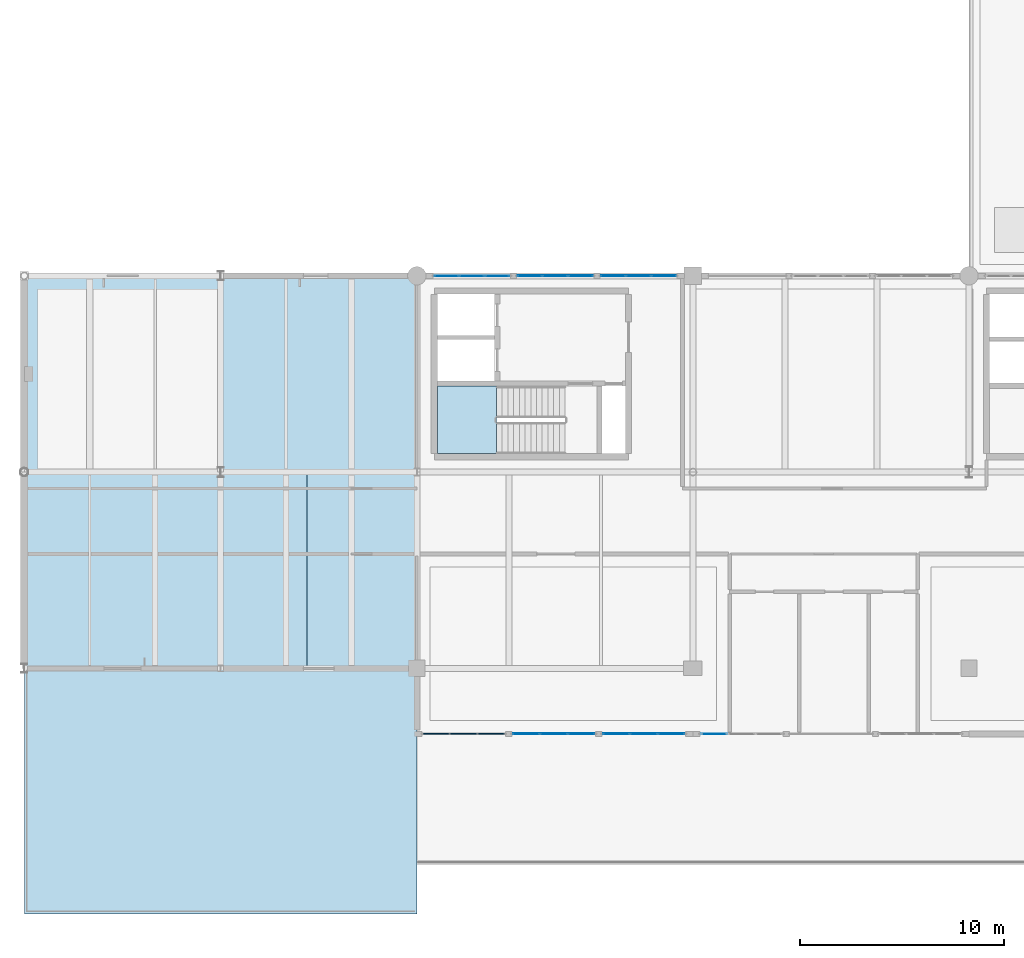
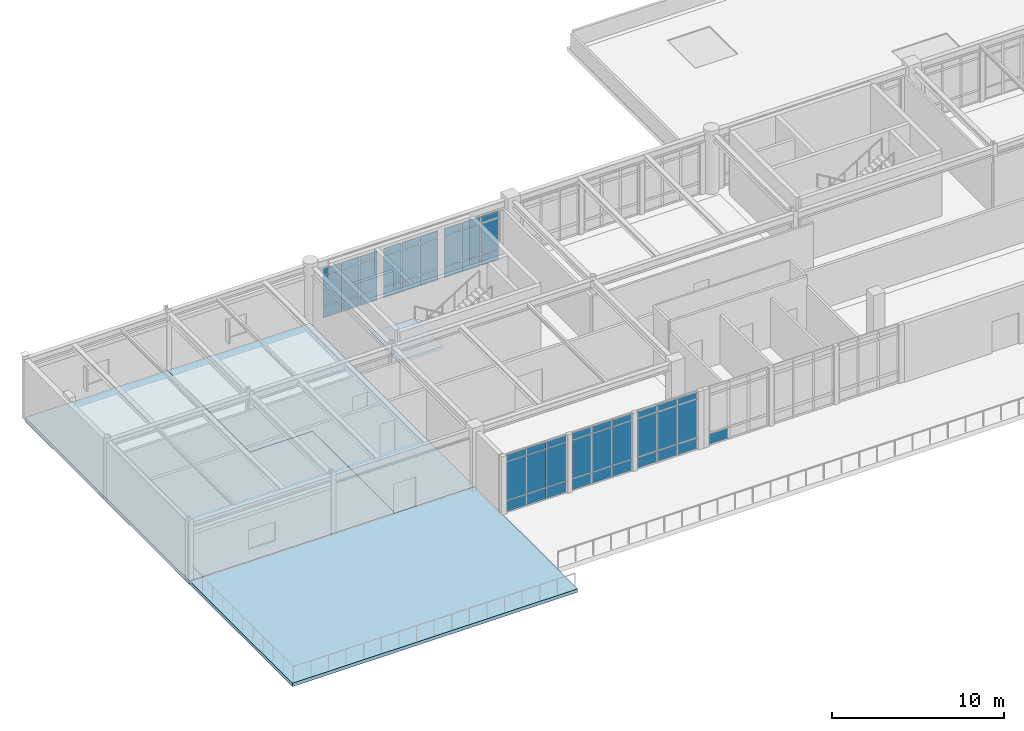
# One storey, part 40 of 55: 55 plates, 4 slabs, 8 elements without a shape of their own.
"""IFC4 building model written with IfcOpenShell, lengths in metres."""

import ifcopenshell
import ifcopenshell.guid

model = None  # the IFC model being written
_history = None  # IfcOwnerHistory: only IFC2X3 demands one
_inside = {}  # id of a spatial element -> (the spatial element, [elements in it])
_under = {}  # id of a project, library or spatial element -> (it, [spatial elements below it])
_declared = {}  # id of a project -> (the project, [libraries it declares])
_typed = {}  # id of a type object -> (the type object, [elements of that type])
_made_of = {}  # id of a material, layer set ... -> (it, [elements and type objects made of it])


def new_model(schema):
    """Start an empty IFC model of exactly this schema.

    Asked for "IFC4X3", IfcOpenShell would pick the latest addendum, in which some entities
    have other attributes; the version numbers below select the first issue.
    IFC2X3 requires an IfcOwnerHistory on every rooted entity: one is made here for all.
    """
    global model, _history
    if schema == "IFC4X3":
        model = ifcopenshell.file(schema_version=(4, 3, 0, 0))
    else:
        model = ifcopenshell.file(schema=schema)
    _inside.clear()
    _under.clear()
    _declared.clear()
    _typed.clear()
    _made_of.clear()
    _history = None
    if model.schema == "IFC2X3":
        org = make("IfcOrganization", Name="unknown")
        user = make(
            "IfcPersonAndOrganization",
            ThePerson=make("IfcPerson", FamilyName="unknown"),
            TheOrganization=org,
        )
        app = make(
            "IfcApplication",
            ApplicationDeveloper=org,
            Version="unknown",
            ApplicationFullName="unknown",
            ApplicationIdentifier="unknown",
        )
        _history = make(
            "IfcOwnerHistory",
            OwningUser=user,
            OwningApplication=app,
            ChangeAction="ADDED",
            CreationDate=0,
        )
    return model


def make(cls, **values):
    """One entity of the class cls with the attributes given. An attribute that is None is left unset."""
    return model.create_entity(
        cls, **{name: value for name, value in values.items() if value is not None}
    )


def rooted(cls, **values):
    """An entity with a GlobalId (a new one), such as an element, a storey or a relation."""
    return make(cls, GlobalId=ifcopenshell.guid.new(), OwnerHistory=_history, **values)


def si_unit(unit_type, name, prefix=None):
    """IfcSIUnit, for example si_unit("LENGTHUNIT", "METRE", prefix="MILLI")."""
    return make("IfcSIUnit", UnitType=unit_type, Prefix=prefix, Name=name)


def assignment(units):
    """IfcUnitAssignment: the units of a project."""
    return None if units is None else make("IfcUnitAssignment", Units=units)


def point(xyz):
    """IfcCartesianPoint."""
    return None if xyz is None else make("IfcCartesianPoint", Coordinates=xyz)


def direction(xyz):
    """IfcDirection."""
    return None if xyz is None else make("IfcDirection", DirectionRatios=xyz)


def frame(location, z_axis=None, x_axis=None):
    """IfcAxis2Placement3D, a coordinate frame: its origin and axes. An axis left out is left unset."""
    return make(
        "IfcAxis2Placement3D",
        Location=point(location),
        Axis=direction(z_axis),
        RefDirection=direction(x_axis),
    )


def frame_2d(location, x_axis=None):
    """IfcAxis2Placement2D, a coordinate frame in the plane: its origin and x axis."""
    return make(
        "IfcAxis2Placement2D", Location=point(location), RefDirection=direction(x_axis)
    )


def origin():
    """The frame at (0, 0, 0) with its axes left unset."""
    return frame((0.0, 0.0, 0.0))


def origin_2d():
    """The frame at (0, 0) in the plane with its x axis left unset."""
    return frame_2d((0.0, 0.0))


def place(relative_to, where):
    """IfcLocalPlacement: puts the frame where relative to a parent placement (None: the world)."""
    return make(
        "IfcLocalPlacement", PlacementRelTo=relative_to, RelativePlacement=where
    )


def context(
    kind, dimensions, precision=None, world=None, true_north=None, identifier=None
):
    """IfcGeometricRepresentationContext, for example the 3D "Model" context."""
    return make(
        "IfcGeometricRepresentationContext",
        ContextIdentifier=identifier,
        ContextType=kind,
        CoordinateSpaceDimension=dimensions,
        Precision=precision,
        WorldCoordinateSystem=world,
        TrueNorth=true_north,
    )


def subcontext(parent, identifier, kind, view, scale=None):
    """IfcGeometricRepresentationSubContext, for example "Body" below "Model"."""
    return make(
        "IfcGeometricRepresentationSubContext",
        ContextIdentifier=identifier,
        ContextType=kind,
        ParentContext=parent,
        TargetScale=scale,
        TargetView=view,
    )


def project(units=None, contexts=None):
    """IfcProject with its units and contexts."""
    return rooted(
        "IfcProject",
        Name="project",
        RepresentationContexts=contexts,
        UnitsInContext=assignment(units),
    )


def spatial(cls, under=None, at=None, **own):
    """A site, building, storey or space (cls), placed at a placement, below another one or the project."""
    s = rooted(cls, ObjectPlacement=at, **own)
    if under is not None:
        _under.setdefault(under.id(), (under, []))[1].append(s)
    return s


def polyline(points):
    """IfcPolyline through the points."""
    return make("IfcPolyline", Points=[point(p) for p in points])


def profile(cls, at=None, kind="AREA", **sizes):
    """A parametric profile (cls). Its sizes go by their IFC names, for example OverallWidth=200.0."""
    return make(cls, ProfileType=kind, Position=at, **sizes)


def rectangle(**sizes):
    """IfcRectangleProfileDef."""
    return profile("IfcRectangleProfileDef", **sizes)


def outline(outer, holes=None, kind="AREA"):
    """IfcArbitraryClosedProfileDef: a profile drawn as a closed curve; with holes, ...WithVoids."""
    if holes is None:
        return make("IfcArbitraryClosedProfileDef", ProfileType=kind, OuterCurve=outer)
    return make(
        "IfcArbitraryProfileDefWithVoids",
        ProfileType=kind,
        OuterCurve=outer,
        InnerCurves=holes,
    )


def extrude(swept, where, along, depth):
    """IfcExtrudedAreaSolid: the profile swept, set in the frame where, extruded along a direction by depth."""
    return make(
        "IfcExtrudedAreaSolid",
        SweptArea=swept,
        Position=where,
        ExtrudedDirection=direction(along),
        Depth=depth,
    )


def shape(context_of_items, identifier, shape_type, items):
    """IfcShapeRepresentation: the items that make up one representation, for example the "Body"."""
    return make(
        "IfcShapeRepresentation",
        ContextOfItems=context_of_items,
        RepresentationIdentifier=identifier,
        RepresentationType=shape_type,
        Items=items,
    )


def material(Name=None, Category=None):
    """IfcMaterial."""
    return make("IfcMaterial", Name=Name, Category=Category)


def layer(
    of_material, thickness, ventilated=None, Name=None, Category=None, Priority=None
):
    """IfcMaterialLayer: one layer of a wall or slab, of a material (None: an air gap)."""
    return make(
        "IfcMaterialLayer",
        Material=of_material,
        LayerThickness=thickness,
        IsVentilated=ventilated,
        Name=Name,
        Category=Category,
        Priority=Priority,
    )


def layer_set(layers, Name=None):
    """IfcMaterialLayerSet."""
    return make("IfcMaterialLayerSet", MaterialLayers=layers, LayerSetName=Name)


def made_of(thing, what):
    """Note that an element or type object is made of a material, layer set ...; save() writes the relation."""
    if what is not None:
        _made_of.setdefault(what.id(), (what, []))[1].append(thing)
    return thing


def type_object(cls, material=None, **own):
    """A type object (cls), such as IfcWallType, which elements share."""
    return made_of(rooted(cls, **own), material)


def element(
    cls,
    number,
    at=None,
    inside=None,
    cuts=None,
    type_object=None,
    material=None,
    context=None,
    identifier="Body",
    shape_type=None,
    held_by="IfcProductDefinitionShape",
    body=None,
    shapes=None,
    **own,
):
    """One element of the class cls, such as IfcWall. Its Tag is "e" and its number.

    at: its placement. inside: the storey or other place that contains it. cuts: it is an
    opening in that element (IfcRelVoidsElement). A single representation is given by context,
    identifier, shape_type and body (its items); several are given by shapes. held_by: the class
    of the entity that holds the representations. save() writes the other relations.
    """
    e = rooted(cls, Tag="e%d" % number, ObjectPlacement=at, **own)
    if body is not None:
        shapes = [shape(context, identifier, shape_type, body)]
    if shapes is not None:
        e.Representation = make(held_by, Representations=shapes)
    if inside is not None:
        _inside.setdefault(inside.id(), (inside, []))[1].append(e)
    if cuts is not None:
        rooted(
            "IfcRelVoidsElement", RelatingBuildingElement=cuts, RelatedOpeningElement=e
        )
    if type_object is not None:
        _typed.setdefault(type_object.id(), (type_object, []))[1].append(e)
    return made_of(e, material)


def aggregate(whole, parts):
    """IfcRelAggregates: a whole, such as a stair, and the parts it consists of."""
    return rooted("IfcRelAggregates", RelatingObject=whole, RelatedObjects=parts)


def save(model, path):
    """Write the relations noted so far, then the file.

    IfcRelAggregates (storeys below a building ...), IfcRelContainedInSpatialStructure (elements
    in a storey), IfcRelDefinesByType, IfcRelAssociatesMaterial and IfcRelDeclares: one each for
    every whole, place, type object, material and project.
    """
    for whole, parts in _under.values():
        aggregate(whole, parts)
    for where, things in _inside.values():
        rooted(
            "IfcRelContainedInSpatialStructure",
            RelatedElements=things,
            RelatingStructure=where,
        )
    for kind, things in _typed.values():
        rooted("IfcRelDefinesByType", RelatedObjects=things, RelatingType=kind)
    for what, things in _made_of.values():
        rooted("IfcRelAssociatesMaterial", RelatedObjects=things, RelatingMaterial=what)
    for by, libraries in _declared.values():
        rooted("IfcRelDeclares", RelatingContext=by, RelatedDefinitions=libraries)
    model.write(path)


model = new_model("IFC4")

# Units and contexts
model_context = context("Model", 3, precision=1e-05, world=origin(), true_north=direction((0.0, 1.0)))
body_context = subcontext(model_context, "Body", "Model", "MODEL_VIEW")
ifc_project = project(units=[si_unit("LENGTHUNIT", "METRE"), si_unit("AREAUNIT", "SQUARE_METRE"), si_unit("VOLUMEUNIT", "CUBIC_METRE"), si_unit("PLANEANGLEUNIT", "RADIAN"), si_unit("MASSUNIT", "GRAM", prefix="KILO")], contexts=[model_context])

# Site, building, storey
site_placement = place(None, origin())
site = spatial("IfcSite", under=ifc_project, at=site_placement, CompositionType="ELEMENT")
building_placement = place(site_placement, origin())
building = spatial("IfcBuilding", under=site, at=building_placement, Name="Fikremerkos Civic Library", CompositionType="ELEMENT")
storey_placement = place(building_placement, frame((0.0, 0.0, 18.89990234375)))
storey = spatial("IfcBuildingStorey", under=building, at=storey_placement, Name="L04", CompositionType="ELEMENT", Elevation=18.89990234375)

# Curtain wall, plate
ifc_material_1 = material(Name="Anodized aluminium Frame", Category="aluminium")
ifc_layer_1 = layer(ifc_material_1, 0.159912109375, Name="Anodized aluminium Frame")
ifc_layer_set_1 = layer_set([ifc_layer_1], Name="Anodized aluminium Frame")
curtain_wall_type_1 = type_object("IfcCurtainWallType", Name="Unitised curtain wall CW-09 3600x3400", PredefinedType="USERDEFINED", material=ifc_layer_set_1)
curtain_wall_1_placement = place(storey_placement, origin())
curtain_wall_1 = element("IfcCurtainWall", 1, at=curtain_wall_1_placement, inside=storey, type_object=curtain_wall_type_1, Name="Unitised curtain wall CW-09 L04 #225", ObjectType="UNITISED CURTAIN WALL", PredefinedType="USERDEFINED")
ifc_material_2 = material(Name="Solar control double glazing", Category="glass")
ifc_layer_2 = layer(ifc_material_2, 0.028076171875, Name="Solar control double glazing")
ifc_layer_set_2 = layer_set([ifc_layer_2], Name="Solar control double glazing")
plate_type_1 = type_object("IfcPlateType", Name="Curtain glazing panel CWP-01 28", PredefinedType="CURTAIN_PANEL", material=ifc_layer_set_2)
plate_1_placement = place(storey_placement, frame((33.745849609375, 8.800048828125, 0.070068359375), z_axis=(0.0, 0.0, 1.0), x_axis=(-1.0, 0.0, 0.0)))
plate_1 = element("IfcPlate", 2, at=plate_1_placement, type_object=plate_type_1, Name="CW-09 panel 3.1", PredefinedType="CURTAIN_PANEL", context=body_context, shape_type="SweptSolid", body=[
    extrude(rectangle(XDim=1.257568359375, YDim=0.028076171875, at=origin_2d()), origin(), (0.0, 0.0, 1.0), 0.7451171875),
])
aggregate(curtain_wall_1, [plate_1])

# Curtain wall, plates
ifc_layer_3 = layer(ifc_material_1, 0.159912109375, Name="Anodized aluminium Frame")
ifc_layer_set_3 = layer_set([ifc_layer_3], Name="Anodized aluminium Frame")
curtain_wall_type_2 = type_object("IfcCurtainWallType", Name="Unitised curtain wall CW-13 3700x3200", PredefinedType="USERDEFINED", material=ifc_layer_set_3)
curtain_wall_2_placement = place(storey_placement, origin())
curtain_wall_2 = element("IfcCurtainWall", 3, at=curtain_wall_2_placement, inside=storey, type_object=curtain_wall_type_2, Name="Unitised curtain wall CW-13 L04 #229", ObjectType="UNITISED CURTAIN WALL", PredefinedType="USERDEFINED")
plate_2_placement = place(storey_placement, frame((20.6435546875, 31.199951171875, 0.06005859375), z_axis=(0.0, 0.0, 1.0), x_axis=(1.0, 0.0, 0.0)))
plate_2 = element("IfcPlate", 4, at=plate_2_placement, type_object=plate_type_1, Name="CW-13 panel 1.1", PredefinedType="CURTAIN_PANEL", context=body_context, shape_type="SweptSolid", body=[
    extrude(rectangle(XDim=1.161376953125, YDim=0.028076171875, at=origin_2d()), origin(), (0.0, 0.0, 1.0), 0.760009765625),
])
plate_3_placement = place(storey_placement, frame((20.6435546875, 31.199951171875, 0.880126953125), z_axis=(0.0, 0.0, 1.0), x_axis=(1.0, 0.0, 0.0)))
plate_3 = element("IfcPlate", 5, at=plate_3_placement, type_object=plate_type_1, Name="CW-13 panel 1.2", PredefinedType="CURTAIN_PANEL", context=body_context, shape_type="SweptSolid", body=[
    extrude(rectangle(XDim=1.161376953125, YDim=0.028076171875, at=origin_2d()), origin(), (0.0, 0.0, 1.0), 2.169921875),
])
plate_4_placement = place(storey_placement, frame((20.6435546875, 31.199951171875, 3.110107421875), z_axis=(0.0, 0.0, 1.0), x_axis=(1.0, 0.0, 0.0)))
plate_4 = element("IfcPlate", 6, at=plate_4_placement, type_object=plate_type_1, Name="CW-13 panel 1.3", PredefinedType="CURTAIN_PANEL", context=body_context, shape_type="SweptSolid", body=[
    extrude(rectangle(XDim=1.161376953125, YDim=0.028076171875, at=origin_2d()), origin(), (0.0, 0.0, 1.0), 0.4599609375),
])
plate_5_placement = place(storey_placement, frame((21.88623046875, 31.199951171875, 0.06005859375), z_axis=(0.0, 0.0, 1.0), x_axis=(1.0, 0.0, 0.0)))
plate_5 = element("IfcPlate", 7, at=plate_5_placement, type_object=plate_type_1, Name="CW-13 panel 2.1", PredefinedType="CURTAIN_PANEL", context=body_context, shape_type="SweptSolid", body=[
    extrude(rectangle(XDim=1.19384765625, YDim=0.028076171875, at=origin_2d()), origin(), (0.0, 0.0, 1.0), 0.760009765625),
])
plate_6_placement = place(storey_placement, frame((21.88623046875, 31.199951171875, 0.880126953125), z_axis=(0.0, 0.0, 1.0), x_axis=(1.0, 0.0, 0.0)))
plate_6 = element("IfcPlate", 8, at=plate_6_placement, type_object=plate_type_1, Name="CW-13 panel 2.2", PredefinedType="CURTAIN_PANEL", context=body_context, shape_type="SweptSolid", body=[
    extrude(rectangle(XDim=1.19384765625, YDim=0.028076171875, at=origin_2d()), origin(), (0.0, 0.0, 1.0), 2.169921875),
])
plate_7_placement = place(storey_placement, frame((21.88623046875, 31.199951171875, 3.110107421875), z_axis=(0.0, 0.0, 1.0), x_axis=(1.0, 0.0, 0.0)))
plate_7 = element("IfcPlate", 9, at=plate_7_placement, type_object=plate_type_1, Name="CW-13 panel 2.3", PredefinedType="CURTAIN_PANEL", context=body_context, shape_type="SweptSolid", body=[
    extrude(rectangle(XDim=1.19384765625, YDim=0.028076171875, at=origin_2d()), origin(), (0.0, 0.0, 1.0), 0.4599609375),
])
plate_8_placement = place(storey_placement, frame((23.128662109375, 31.199951171875, 0.06005859375), z_axis=(0.0, 0.0, 1.0), x_axis=(1.0, 0.0, 0.0)))
plate_8 = element("IfcPlate", 10, at=plate_8_placement, type_object=plate_type_1, Name="CW-13 panel 3.1", PredefinedType="CURTAIN_PANEL", context=body_context, shape_type="SweptSolid", body=[
    extrude(rectangle(XDim=1.161376953125, YDim=0.028076171875, at=origin_2d()), origin(), (0.0, 0.0, 1.0), 0.760009765625),
])
plate_9_placement = place(storey_placement, frame((23.128662109375, 31.199951171875, 0.880126953125), z_axis=(0.0, 0.0, 1.0), x_axis=(1.0, 0.0, 0.0)))
plate_9 = element("IfcPlate", 11, at=plate_9_placement, type_object=plate_type_1, Name="CW-13 panel 3.2", PredefinedType="CURTAIN_PANEL", context=body_context, shape_type="SweptSolid", body=[
    extrude(rectangle(XDim=1.161376953125, YDim=0.028076171875, at=origin_2d()), origin(), (0.0, 0.0, 1.0), 2.169921875),
])
plate_10_placement = place(storey_placement, frame((23.128662109375, 31.199951171875, 3.110107421875), z_axis=(0.0, 0.0, 1.0), x_axis=(1.0, 0.0, 0.0)))
plate_10 = element("IfcPlate", 12, at=plate_10_placement, type_object=plate_type_1, Name="CW-13 panel 3.3", PredefinedType="CURTAIN_PANEL", context=body_context, shape_type="SweptSolid", body=[
    extrude(rectangle(XDim=1.161376953125, YDim=0.028076171875, at=origin_2d()), origin(), (0.0, 0.0, 1.0), 0.4599609375),
])
aggregate(curtain_wall_2, [plate_2, plate_3, plate_4, plate_5, plate_6, plate_7, plate_8, plate_9, plate_10])

ifc_layer_4 = layer(ifc_material_1, 0.159912109375, Name="Anodized aluminium Frame")
ifc_layer_set_4 = layer_set([ifc_layer_4], Name="Anodized aluminium Frame")
curtain_wall_type_3 = type_object("IfcCurtainWallType", Name="Unitised curtain wall CW-10 4000x3400", PredefinedType="USERDEFINED", material=ifc_layer_set_4)
curtain_wall_3_placement = place(storey_placement, origin())
curtain_wall_3 = element("IfcCurtainWall", 13, at=curtain_wall_3_placement, inside=storey, type_object=curtain_wall_type_3, Name="Unitised curtain wall CW-10 L04 #226", ObjectType="UNITISED CURTAIN WALL", PredefinedType="USERDEFINED")
ifc_layer_5 = layer(ifc_material_2, 0.035888671875, Name="Solar control double glazing")
ifc_layer_set_5 = layer_set([ifc_layer_5], Name="Solar control double glazing")
plate_type_2 = type_object("IfcPlateType", Name="Curtain glazing panel CWP-02 36", PredefinedType="CURTAIN_PANEL", material=ifc_layer_set_5)
plate_11_placement = place(storey_placement, frame((31.649169921875, 8.800048828125, 0.070068359375), z_axis=(0.0, 0.0, 1.0), x_axis=(-1.0, 0.0, 0.0)))
plate_11 = element("IfcPlate", 14, at=plate_11_placement, type_object=plate_type_2, Name="CW-10 panel 1.1", PredefinedType="CURTAIN_PANEL", context=body_context, shape_type="SweptSolid", body=[
    extrude(rectangle(XDim=1.277587890625, YDim=0.035888671875, at=origin_2d()), origin(), (0.0, 0.0, 1.0), 0.7451171875),
])
plate_12_placement = place(storey_placement, frame((31.649169921875, 8.800048828125, 0.885009765625), z_axis=(0.0, 0.0, 1.0), x_axis=(-1.0, 0.0, 0.0)))
plate_12 = element("IfcPlate", 15, at=plate_12_placement, type_object=plate_type_2, Name="CW-10 panel 1.2", PredefinedType="CURTAIN_PANEL", context=body_context, shape_type="SweptSolid", body=[
    extrude(rectangle(XDim=1.277587890625, YDim=0.035888671875, at=origin_2d()), origin(), (0.0, 0.0, 1.0), 2.68994140625),
])
plate_13_placement = place(storey_placement, frame((31.649169921875, 8.800048828125, 3.64501953125), z_axis=(0.0, 0.0, 1.0), x_axis=(-1.0, 0.0, 0.0)))
plate_13 = element("IfcPlate", 16, at=plate_13_placement, type_object=plate_type_2, Name="CW-10 panel 1.3", PredefinedType="CURTAIN_PANEL", context=body_context, shape_type="SweptSolid", body=[
    extrude(rectangle(XDim=1.277587890625, YDim=0.035888671875, at=origin_2d()), origin(), (0.0, 0.0, 1.0), 0.445068359375),
])
plate_14_placement = place(storey_placement, frame((30.296630859375, 8.800048828125, 0.070068359375), z_axis=(0.0, 0.0, 1.0), x_axis=(-1.0, 0.0, 0.0)))
plate_14 = element("IfcPlate", 17, at=plate_14_placement, type_object=plate_type_2, Name="CW-10 panel 2.1", PredefinedType="CURTAIN_PANEL", context=body_context, shape_type="SweptSolid", body=[
    extrude(rectangle(XDim=1.3076171875, YDim=0.035888671875, at=origin_2d()), origin(), (0.0, 0.0, 1.0), 0.7451171875),
])
plate_15_placement = place(storey_placement, frame((30.296630859375, 8.800048828125, 0.885009765625), z_axis=(0.0, 0.0, 1.0), x_axis=(-1.0, 0.0, 0.0)))
plate_15 = element("IfcPlate", 18, at=plate_15_placement, type_object=plate_type_2, Name="CW-10 panel 2.2", PredefinedType="CURTAIN_PANEL", context=body_context, shape_type="SweptSolid", body=[
    extrude(rectangle(XDim=1.3076171875, YDim=0.035888671875, at=origin_2d()), origin(), (0.0, 0.0, 1.0), 2.68994140625),
])
plate_16_placement = place(storey_placement, frame((30.296630859375, 8.800048828125, 3.64501953125), z_axis=(0.0, 0.0, 1.0), x_axis=(-1.0, 0.0, 0.0)))
plate_16 = element("IfcPlate", 19, at=plate_16_placement, type_object=plate_type_2, Name="CW-10 panel 2.3", PredefinedType="CURTAIN_PANEL", context=body_context, shape_type="SweptSolid", body=[
    extrude(rectangle(XDim=1.3076171875, YDim=0.035888671875, at=origin_2d()), origin(), (0.0, 0.0, 1.0), 0.445068359375),
])
plate_17_placement = place(storey_placement, frame((28.944091796875, 8.800048828125, 0.070068359375), z_axis=(0.0, 0.0, 1.0), x_axis=(-1.0, 0.0, 0.0)))
plate_17 = element("IfcPlate", 20, at=plate_17_placement, type_object=plate_type_2, Name="CW-10 panel 3.1", PredefinedType="CURTAIN_PANEL", context=body_context, shape_type="SweptSolid", body=[
    extrude(rectangle(XDim=1.277587890625, YDim=0.035888671875, at=origin_2d()), origin(), (0.0, 0.0, 1.0), 0.7451171875),
])
plate_18_placement = place(storey_placement, frame((28.944091796875, 8.800048828125, 0.885009765625), z_axis=(0.0, 0.0, 1.0), x_axis=(-1.0, 0.0, 0.0)))
plate_18 = element("IfcPlate", 21, at=plate_18_placement, type_object=plate_type_2, Name="CW-10 panel 3.2", PredefinedType="CURTAIN_PANEL", context=body_context, shape_type="SweptSolid", body=[
    extrude(rectangle(XDim=1.277587890625, YDim=0.035888671875, at=origin_2d()), origin(), (0.0, 0.0, 1.0), 2.68994140625),
])
plate_19_placement = place(storey_placement, frame((28.944091796875, 8.800048828125, 3.64501953125), z_axis=(0.0, 0.0, 1.0), x_axis=(-1.0, 0.0, 0.0)))
plate_19 = element("IfcPlate", 22, at=plate_19_placement, type_object=plate_type_2, Name="CW-10 panel 3.3", PredefinedType="CURTAIN_PANEL", context=body_context, shape_type="SweptSolid", body=[
    extrude(rectangle(XDim=1.277587890625, YDim=0.035888671875, at=origin_2d()), origin(), (0.0, 0.0, 1.0), 0.445068359375),
])
aggregate(curtain_wall_3, [plate_11, plate_12, plate_13, plate_14, plate_15, plate_16, plate_17, plate_18, plate_19])

ifc_layer_6 = layer(ifc_material_1, 0.159912109375, Name="Anodized aluminium Frame")
ifc_layer_set_6 = layer_set([ifc_layer_6], Name="Anodized aluminium Frame")
curtain_wall_type_4 = type_object("IfcCurtainWallType", Name="Unitised curtain wall CW-14 4100x3200", PredefinedType="USERDEFINED", material=ifc_layer_set_6)
curtain_wall_4_placement = place(storey_placement, origin())
curtain_wall_4 = element("IfcCurtainWall", 23, at=curtain_wall_4_placement, inside=storey, type_object=curtain_wall_type_4, Name="Unitised curtain wall CW-14 L04 #230", ObjectType="UNITISED CURTAIN WALL", PredefinedType="USERDEFINED")
plate_20_placement = place(storey_placement, frame((24.71875, 31.199951171875, 0.06005859375), z_axis=(0.0, 0.0, 1.0), x_axis=(1.0, 0.0, 0.0)))
plate_20 = element("IfcPlate", 24, at=plate_20_placement, type_object=plate_type_2, Name="CW-14 panel 1.1", PredefinedType="CURTAIN_PANEL", context=body_context, shape_type="SweptSolid", body=[
    extrude(rectangle(XDim=1.168701171875, YDim=0.035888671875, at=origin_2d()), origin(), (0.0, 0.0, 1.0), 0.760009765625),
])
plate_21_placement = place(storey_placement, frame((24.71875, 31.199951171875, 0.880126953125), z_axis=(0.0, 0.0, 1.0), x_axis=(1.0, 0.0, 0.0)))
plate_21 = element("IfcPlate", 25, at=plate_21_placement, type_object=plate_type_2, Name="CW-14 panel 1.2", PredefinedType="CURTAIN_PANEL", context=body_context, shape_type="SweptSolid", body=[
    extrude(rectangle(XDim=1.168701171875, YDim=0.035888671875, at=origin_2d()), origin(), (0.0, 0.0, 1.0), 2.169921875),
])
plate_22_placement = place(storey_placement, frame((24.71875, 31.199951171875, 3.110107421875), z_axis=(0.0, 0.0, 1.0), x_axis=(1.0, 0.0, 0.0)))
plate_22 = element("IfcPlate", 26, at=plate_22_placement, type_object=plate_type_2, Name="CW-14 panel 1.3", PredefinedType="CURTAIN_PANEL", context=body_context, shape_type="SweptSolid", body=[
    extrude(rectangle(XDim=1.168701171875, YDim=0.035888671875, at=origin_2d()), origin(), (0.0, 0.0, 1.0), 0.4599609375),
])
plate_23_placement = place(storey_placement, frame((25.96240234375, 31.199951171875, 0.06005859375), z_axis=(0.0, 0.0, 1.0), x_axis=(1.0, 0.0, 0.0)))
plate_23 = element("IfcPlate", 27, at=plate_23_placement, type_object=plate_type_2, Name="CW-14 panel 2.1", PredefinedType="CURTAIN_PANEL", context=body_context, shape_type="SweptSolid", body=[
    extrude(rectangle(XDim=1.19873046875, YDim=0.035888671875, at=origin_2d()), origin(), (0.0, 0.0, 1.0), 0.760009765625),
])
plate_24_placement = place(storey_placement, frame((25.96240234375, 31.199951171875, 0.880126953125), z_axis=(0.0, 0.0, 1.0), x_axis=(1.0, 0.0, 0.0)))
plate_24 = element("IfcPlate", 28, at=plate_24_placement, type_object=plate_type_2, Name="CW-14 panel 2.2", PredefinedType="CURTAIN_PANEL", context=body_context, shape_type="SweptSolid", body=[
    extrude(rectangle(XDim=1.19873046875, YDim=0.035888671875, at=origin_2d()), origin(), (0.0, 0.0, 1.0), 2.169921875),
])
plate_25_placement = place(storey_placement, frame((25.96240234375, 31.199951171875, 3.110107421875), z_axis=(0.0, 0.0, 1.0), x_axis=(1.0, 0.0, 0.0)))
plate_25 = element("IfcPlate", 29, at=plate_25_placement, type_object=plate_type_2, Name="CW-14 panel 2.3", PredefinedType="CURTAIN_PANEL", context=body_context, shape_type="SweptSolid", body=[
    extrude(rectangle(XDim=1.19873046875, YDim=0.035888671875, at=origin_2d()), origin(), (0.0, 0.0, 1.0), 0.4599609375),
])
plate_26_placement = place(storey_placement, frame((27.206298828125, 31.199951171875, 0.06005859375), z_axis=(0.0, 0.0, 1.0), x_axis=(1.0, 0.0, 0.0)))
plate_26 = element("IfcPlate", 30, at=plate_26_placement, type_object=plate_type_2, Name="CW-14 panel 3.1", PredefinedType="CURTAIN_PANEL", context=body_context, shape_type="SweptSolid", body=[
    extrude(rectangle(XDim=1.168701171875, YDim=0.035888671875, at=origin_2d()), origin(), (0.0, 0.0, 1.0), 0.760009765625),
])
plate_27_placement = place(storey_placement, frame((27.206298828125, 31.199951171875, 0.880126953125), z_axis=(0.0, 0.0, 1.0), x_axis=(1.0, 0.0, 0.0)))
plate_27 = element("IfcPlate", 31, at=plate_27_placement, type_object=plate_type_2, Name="CW-14 panel 3.2", PredefinedType="CURTAIN_PANEL", context=body_context, shape_type="SweptSolid", body=[
    extrude(rectangle(XDim=1.168701171875, YDim=0.035888671875, at=origin_2d()), origin(), (0.0, 0.0, 1.0), 2.169921875),
])
plate_28_placement = place(storey_placement, frame((27.206298828125, 31.199951171875, 3.110107421875), z_axis=(0.0, 0.0, 1.0), x_axis=(1.0, 0.0, 0.0)))
plate_28 = element("IfcPlate", 32, at=plate_28_placement, type_object=plate_type_2, Name="CW-14 panel 3.3", PredefinedType="CURTAIN_PANEL", context=body_context, shape_type="SweptSolid", body=[
    extrude(rectangle(XDim=1.168701171875, YDim=0.035888671875, at=origin_2d()), origin(), (0.0, 0.0, 1.0), 0.4599609375),
])
aggregate(curtain_wall_4, [plate_20, plate_21, plate_22, plate_23, plate_24, plate_25, plate_26, plate_27, plate_28])

ifc_layer_7 = layer(ifc_material_1, 0.159912109375, Name="Anodized aluminium Frame")
ifc_layer_set_7 = layer_set([ifc_layer_7], Name="Anodized aluminium Frame")
curtain_wall_type_5 = type_object("IfcCurtainWallType", Name="Unitised curtain wall CW-11 3200x3400", PredefinedType="USERDEFINED", material=ifc_layer_set_7)
curtain_wall_5_placement = place(storey_placement, origin())
curtain_wall_5 = element("IfcCurtainWall", 33, at=curtain_wall_5_placement, inside=storey, type_object=curtain_wall_type_5, Name="Unitised curtain wall CW-11 L04 #227", ObjectType="UNITISED CURTAIN WALL", PredefinedType="USERDEFINED")
ifc_material_3 = material(Name="Insulated aluminium spandrel", Category="aluminium")
ifc_layer_8 = layer(ifc_material_3, 0.044921875, Name="Insulated aluminium spandrel")
ifc_layer_set_8 = layer_set([ifc_layer_8], Name="Insulated aluminium spandrel")
plate_type_3 = type_object("IfcPlateType", Name="Curtain spandrel panel CSP-01 45", PredefinedType="CURTAIN_PANEL", material=ifc_layer_set_8)
plate_29_placement = place(storey_placement, frame((27.24658203125, 8.800048828125, 0.065185546875), z_axis=(0.0, 0.0, 1.0), x_axis=(-1.0, 0.0, 0.0)))
plate_29 = element("IfcPlate", 34, at=plate_29_placement, type_object=plate_type_3, Name="CW-11 panel 1.1", PredefinedType="CURTAIN_PANEL", context=body_context, shape_type="SweptSolid", body=[
    extrude(rectangle(XDim=1.277587890625, YDim=0.044921875, at=origin_2d()), origin(), (0.0, 0.0, 1.0), 0.75244140625),
])
plate_30_placement = place(storey_placement, frame((27.24658203125, 8.800048828125, 0.88232421875), z_axis=(0.0, 0.0, 1.0), x_axis=(-1.0, 0.0, 0.0)))
plate_30 = element("IfcPlate", 35, at=plate_30_placement, type_object=plate_type_3, Name="CW-11 panel 1.2", PredefinedType="CURTAIN_PANEL", context=body_context, shape_type="SweptSolid", body=[
    extrude(rectangle(XDim=1.277587890625, YDim=0.044921875, at=origin_2d()), origin(), (0.0, 0.0, 1.0), 2.695068359375),
])
plate_31_placement = place(storey_placement, frame((27.24658203125, 8.800048828125, 3.642578125), z_axis=(0.0, 0.0, 1.0), x_axis=(-1.0, 0.0, 0.0)))
plate_31 = element("IfcPlate", 36, at=plate_31_placement, type_object=plate_type_3, Name="CW-11 panel 1.3", PredefinedType="CURTAIN_PANEL", context=body_context, shape_type="SweptSolid", body=[
    extrude(rectangle(XDim=1.277587890625, YDim=0.044921875, at=origin_2d()), origin(), (0.0, 0.0, 1.0), 0.452392578125),
])
plate_32_placement = place(storey_placement, frame((25.89404296875, 8.800048828125, 0.065185546875), z_axis=(0.0, 0.0, 1.0), x_axis=(-1.0, 0.0, 0.0)))
plate_32 = element("IfcPlate", 37, at=plate_32_placement, type_object=plate_type_3, Name="CW-11 panel 2.1", PredefinedType="CURTAIN_PANEL", context=body_context, shape_type="SweptSolid", body=[
    extrude(rectangle(XDim=1.3076171875, YDim=0.044921875, at=origin_2d()), origin(), (0.0, 0.0, 1.0), 0.75244140625),
])
plate_33_placement = place(storey_placement, frame((25.89404296875, 8.800048828125, 0.88232421875), z_axis=(0.0, 0.0, 1.0), x_axis=(-1.0, 0.0, 0.0)))
plate_33 = element("IfcPlate", 38, at=plate_33_placement, type_object=plate_type_3, Name="CW-11 panel 2.2", PredefinedType="CURTAIN_PANEL", context=body_context, shape_type="SweptSolid", body=[
    extrude(rectangle(XDim=1.3076171875, YDim=0.044921875, at=origin_2d()), origin(), (0.0, 0.0, 1.0), 2.695068359375),
])
plate_34_placement = place(storey_placement, frame((25.89404296875, 8.800048828125, 3.642578125), z_axis=(0.0, 0.0, 1.0), x_axis=(-1.0, 0.0, 0.0)))
plate_34 = element("IfcPlate", 39, at=plate_34_placement, type_object=plate_type_3, Name="CW-11 panel 2.3", PredefinedType="CURTAIN_PANEL", context=body_context, shape_type="SweptSolid", body=[
    extrude(rectangle(XDim=1.3076171875, YDim=0.044921875, at=origin_2d()), origin(), (0.0, 0.0, 1.0), 0.452392578125),
])
plate_35_placement = place(storey_placement, frame((24.54150390625, 8.800048828125, 0.065185546875), z_axis=(0.0, 0.0, 1.0), x_axis=(-1.0, 0.0, 0.0)))
plate_35 = element("IfcPlate", 40, at=plate_35_placement, type_object=plate_type_3, Name="CW-11 panel 3.1", PredefinedType="CURTAIN_PANEL", context=body_context, shape_type="SweptSolid", body=[
    extrude(rectangle(XDim=1.277587890625, YDim=0.044921875, at=origin_2d()), origin(), (0.0, 0.0, 1.0), 0.75244140625),
])
plate_36_placement = place(storey_placement, frame((24.54150390625, 8.800048828125, 0.88232421875), z_axis=(0.0, 0.0, 1.0), x_axis=(-1.0, 0.0, 0.0)))
plate_36 = element("IfcPlate", 41, at=plate_36_placement, type_object=plate_type_3, Name="CW-11 panel 3.2", PredefinedType="CURTAIN_PANEL", context=body_context, shape_type="SweptSolid", body=[
    extrude(rectangle(XDim=1.277587890625, YDim=0.044921875, at=origin_2d()), origin(), (0.0, 0.0, 1.0), 2.695068359375),
])
plate_37_placement = place(storey_placement, frame((24.54150390625, 8.800048828125, 3.642578125), z_axis=(0.0, 0.0, 1.0), x_axis=(-1.0, 0.0, 0.0)))
plate_37 = element("IfcPlate", 42, at=plate_37_placement, type_object=plate_type_3, Name="CW-11 panel 3.3", PredefinedType="CURTAIN_PANEL", context=body_context, shape_type="SweptSolid", body=[
    extrude(rectangle(XDim=1.277587890625, YDim=0.044921875, at=origin_2d()), origin(), (0.0, 0.0, 1.0), 0.452392578125),
])
aggregate(curtain_wall_5, [plate_29, plate_30, plate_31, plate_32, plate_33, plate_34, plate_35, plate_36, plate_37])

ifc_layer_9 = layer(ifc_material_1, 0.159912109375, Name="Anodized aluminium Frame")
ifc_layer_set_9 = layer_set([ifc_layer_9], Name="Anodized aluminium Frame")
curtain_wall_type_6 = type_object("IfcCurtainWallType", Name="Unitised curtain wall CW-15 2900x3600", PredefinedType="USERDEFINED", material=ifc_layer_set_9)
curtain_wall_6_placement = place(storey_placement, origin())
curtain_wall_6 = element("IfcCurtainWall", 43, at=curtain_wall_6_placement, inside=storey, type_object=curtain_wall_type_6, Name="Unitised curtain wall CW-15 L04 #231", ObjectType="UNITISED CURTAIN WALL", PredefinedType="USERDEFINED")
plate_38_placement = place(storey_placement, frame((28.795166015625, 31.199951171875, 0.070068359375), z_axis=(0.0, 0.0, 1.0), x_axis=(1.0, 0.0, 0.0)))
plate_38 = element("IfcPlate", 44, at=plate_38_placement, type_object=plate_type_3, Name="CW-15 panel 1.1", PredefinedType="CURTAIN_PANEL", context=body_context, shape_type="SweptSolid", body=[
    extrude(rectangle(XDim=1.168701171875, YDim=0.044921875, at=origin_2d()), origin(), (0.0, 0.0, 1.0), 0.7451171875),
])
plate_39_placement = place(storey_placement, frame((28.795166015625, 31.199951171875, 0.88525390625), z_axis=(0.0, 0.0, 1.0), x_axis=(1.0, 0.0, 0.0)))
plate_39 = element("IfcPlate", 45, at=plate_39_placement, type_object=plate_type_3, Name="CW-15 panel 1.2", PredefinedType="CURTAIN_PANEL", context=body_context, shape_type="SweptSolid", body=[
    extrude(rectangle(XDim=1.168701171875, YDim=0.044921875, at=origin_2d()), origin(), (0.0, 0.0, 1.0), 2.159912109375),
])
plate_40_placement = place(storey_placement, frame((28.795166015625, 31.199951171875, 3.115234375), z_axis=(0.0, 0.0, 1.0), x_axis=(1.0, 0.0, 0.0)))
plate_40 = element("IfcPlate", 46, at=plate_40_placement, type_object=plate_type_3, Name="CW-15 panel 1.3", PredefinedType="CURTAIN_PANEL", context=body_context, shape_type="SweptSolid", body=[
    extrude(rectangle(XDim=1.168701171875, YDim=0.044921875, at=origin_2d()), origin(), (0.0, 0.0, 1.0), 0.445068359375),
])
plate_41_placement = place(storey_placement, frame((30.038818359375, 31.199951171875, 0.070068359375), z_axis=(0.0, 0.0, 1.0), x_axis=(1.0, 0.0, 0.0)))
plate_41 = element("IfcPlate", 47, at=plate_41_placement, type_object=plate_type_3, Name="CW-15 panel 2.1", PredefinedType="CURTAIN_PANEL", context=body_context, shape_type="SweptSolid", body=[
    extrude(rectangle(XDim=1.19873046875, YDim=0.044921875, at=origin_2d()), origin(), (0.0, 0.0, 1.0), 0.7451171875),
])
plate_42_placement = place(storey_placement, frame((30.038818359375, 31.199951171875, 0.88525390625), z_axis=(0.0, 0.0, 1.0), x_axis=(1.0, 0.0, 0.0)))
plate_42 = element("IfcPlate", 48, at=plate_42_placement, type_object=plate_type_3, Name="CW-15 panel 2.2", PredefinedType="CURTAIN_PANEL", context=body_context, shape_type="SweptSolid", body=[
    extrude(rectangle(XDim=1.19873046875, YDim=0.044921875, at=origin_2d()), origin(), (0.0, 0.0, 1.0), 2.159912109375),
])
plate_43_placement = place(storey_placement, frame((30.038818359375, 31.199951171875, 3.115234375), z_axis=(0.0, 0.0, 1.0), x_axis=(1.0, 0.0, 0.0)))
plate_43 = element("IfcPlate", 49, at=plate_43_placement, type_object=plate_type_3, Name="CW-15 panel 2.3", PredefinedType="CURTAIN_PANEL", context=body_context, shape_type="SweptSolid", body=[
    extrude(rectangle(XDim=1.19873046875, YDim=0.044921875, at=origin_2d()), origin(), (0.0, 0.0, 1.0), 0.445068359375),
])
plate_44_placement = place(storey_placement, frame((31.28271484375, 31.199951171875, 0.070068359375), z_axis=(0.0, 0.0, 1.0), x_axis=(1.0, 0.0, 0.0)))
plate_44 = element("IfcPlate", 50, at=plate_44_placement, type_object=plate_type_3, Name="CW-15 panel 3.1", PredefinedType="CURTAIN_PANEL", context=body_context, shape_type="SweptSolid", body=[
    extrude(rectangle(XDim=1.168701171875, YDim=0.044921875, at=origin_2d()), origin(), (0.0, 0.0, 1.0), 0.7451171875),
])
plate_45_placement = place(storey_placement, frame((31.28271484375, 31.199951171875, 0.88525390625), z_axis=(0.0, 0.0, 1.0), x_axis=(1.0, 0.0, 0.0)))
plate_45 = element("IfcPlate", 51, at=plate_45_placement, type_object=plate_type_3, Name="CW-15 panel 3.2", PredefinedType="CURTAIN_PANEL", context=body_context, shape_type="SweptSolid", body=[
    extrude(rectangle(XDim=1.168701171875, YDim=0.044921875, at=origin_2d()), origin(), (0.0, 0.0, 1.0), 2.159912109375),
])
plate_46_placement = place(storey_placement, frame((31.28271484375, 31.199951171875, 3.115234375), z_axis=(0.0, 0.0, 1.0), x_axis=(1.0, 0.0, 0.0)))
plate_46 = element("IfcPlate", 52, at=plate_46_placement, type_object=plate_type_3, Name="CW-15 panel 3.3", PredefinedType="CURTAIN_PANEL", context=body_context, shape_type="SweptSolid", body=[
    extrude(rectangle(XDim=1.168701171875, YDim=0.044921875, at=origin_2d()), origin(), (0.0, 0.0, 1.0), 0.445068359375),
])
aggregate(curtain_wall_6, [plate_38, plate_39, plate_40, plate_41, plate_42, plate_43, plate_44, plate_45, plate_46])

ifc_layer_10 = layer(ifc_material_1, 0.159912109375, Name="Anodized aluminium Frame")
ifc_layer_set_10 = layer_set([ifc_layer_10], Name="Anodized aluminium Frame")
curtain_wall_type_7 = type_object("IfcCurtainWallType", Name="Unitised curtain wall CW-12 4300x3400", PredefinedType="USERDEFINED", material=ifc_layer_set_10)
curtain_wall_7_placement = place(storey_placement, origin())
curtain_wall_7 = element("IfcCurtainWall", 53, at=curtain_wall_7_placement, inside=storey, type_object=curtain_wall_type_7, Name="Unitised curtain wall CW-12 L04 #228", ObjectType="UNITISED CURTAIN WALL", PredefinedType="USERDEFINED")
ifc_layer_11 = layer(ifc_material_3, 0.054931640625, Name="Insulated aluminium spandrel")
ifc_layer_set_11 = layer_set([ifc_layer_11], Name="Insulated aluminium spandrel")
plate_type_4 = type_object("IfcPlateType", Name="Curtain spandrel panel CSP-02 55", PredefinedType="CURTAIN_PANEL", material=ifc_layer_set_11)
plate_47_placement = place(storey_placement, frame((22.843994140625, 8.800048828125, 0.065185546875), z_axis=(0.0, 0.0, 1.0), x_axis=(-1.0, 0.0, 0.0)))
plate_47 = element("IfcPlate", 54, at=plate_47_placement, type_object=plate_type_4, Name="CW-12 panel 1.1", PredefinedType="CURTAIN_PANEL", context=body_context, shape_type="SweptSolid", body=[
    extrude(rectangle(XDim=1.277587890625, YDim=0.054931640625, at=origin_2d()), origin(), (0.0, 0.0, 1.0), 0.75244140625),
])
plate_48_placement = place(storey_placement, frame((22.843994140625, 8.800048828125, 0.88232421875), z_axis=(0.0, 0.0, 1.0), x_axis=(-1.0, 0.0, 0.0)))
plate_48 = element("IfcPlate", 55, at=plate_48_placement, type_object=plate_type_4, Name="CW-12 panel 1.2", PredefinedType="CURTAIN_PANEL", context=body_context, shape_type="SweptSolid", body=[
    extrude(rectangle(XDim=1.277587890625, YDim=0.054931640625, at=origin_2d()), origin(), (0.0, 0.0, 1.0), 2.695068359375),
])
plate_49_placement = place(storey_placement, frame((22.843994140625, 8.800048828125, 3.642578125), z_axis=(0.0, 0.0, 1.0), x_axis=(-1.0, 0.0, 0.0)))
plate_49 = element("IfcPlate", 56, at=plate_49_placement, type_object=plate_type_4, Name="CW-12 panel 1.3", PredefinedType="CURTAIN_PANEL", context=body_context, shape_type="SweptSolid", body=[
    extrude(rectangle(XDim=1.277587890625, YDim=0.054931640625, at=origin_2d()), origin(), (0.0, 0.0, 1.0), 0.452392578125),
])
plate_50_placement = place(storey_placement, frame((21.491455078125, 8.800048828125, 0.065185546875), z_axis=(0.0, 0.0, 1.0), x_axis=(-1.0, 0.0, 0.0)))
plate_50 = element("IfcPlate", 57, at=plate_50_placement, type_object=plate_type_4, Name="CW-12 panel 2.1", PredefinedType="CURTAIN_PANEL", context=body_context, shape_type="SweptSolid", body=[
    extrude(rectangle(XDim=1.3076171875, YDim=0.054931640625, at=origin_2d()), origin(), (0.0, 0.0, 1.0), 0.75244140625),
])
plate_51_placement = place(storey_placement, frame((21.491455078125, 8.800048828125, 0.88232421875), z_axis=(0.0, 0.0, 1.0), x_axis=(-1.0, 0.0, 0.0)))
plate_51 = element("IfcPlate", 58, at=plate_51_placement, type_object=plate_type_4, Name="CW-12 panel 2.2", PredefinedType="CURTAIN_PANEL", context=body_context, shape_type="SweptSolid", body=[
    extrude(rectangle(XDim=1.3076171875, YDim=0.054931640625, at=origin_2d()), origin(), (0.0, 0.0, 1.0), 2.695068359375),
])
plate_52_placement = place(storey_placement, frame((21.491455078125, 8.800048828125, 3.642578125), z_axis=(0.0, 0.0, 1.0), x_axis=(-1.0, 0.0, 0.0)))
plate_52 = element("IfcPlate", 59, at=plate_52_placement, type_object=plate_type_4, Name="CW-12 panel 2.3", PredefinedType="CURTAIN_PANEL", context=body_context, shape_type="SweptSolid", body=[
    extrude(rectangle(XDim=1.3076171875, YDim=0.054931640625, at=origin_2d()), origin(), (0.0, 0.0, 1.0), 0.452392578125),
])
plate_53_placement = place(storey_placement, frame((20.138671875, 8.800048828125, 0.065185546875), z_axis=(0.0, 0.0, 1.0), x_axis=(-1.0, 0.0, 0.0)))
plate_53 = element("IfcPlate", 60, at=plate_53_placement, type_object=plate_type_4, Name="CW-12 panel 3.1", PredefinedType="CURTAIN_PANEL", context=body_context, shape_type="SweptSolid", body=[
    extrude(rectangle(XDim=1.277587890625, YDim=0.054931640625, at=origin_2d()), origin(), (0.0, 0.0, 1.0), 0.75244140625),
])
plate_54_placement = place(storey_placement, frame((20.138671875, 8.800048828125, 0.88232421875), z_axis=(0.0, 0.0, 1.0), x_axis=(-1.0, 0.0, 0.0)))
plate_54 = element("IfcPlate", 61, at=plate_54_placement, type_object=plate_type_4, Name="CW-12 panel 3.2", PredefinedType="CURTAIN_PANEL", context=body_context, shape_type="SweptSolid", body=[
    extrude(rectangle(XDim=1.277587890625, YDim=0.054931640625, at=origin_2d()), origin(), (0.0, 0.0, 1.0), 2.695068359375),
])
plate_55_placement = place(storey_placement, frame((20.138671875, 8.800048828125, 3.642578125), z_axis=(0.0, 0.0, 1.0), x_axis=(-1.0, 0.0, 0.0)))
plate_55 = element("IfcPlate", 62, at=plate_55_placement, type_object=plate_type_4, Name="CW-12 panel 3.3", PredefinedType="CURTAIN_PANEL", context=body_context, shape_type="SweptSolid", body=[
    extrude(rectangle(XDim=1.277587890625, YDim=0.054931640625, at=origin_2d()), origin(), (0.0, 0.0, 1.0), 0.452392578125),
])
aggregate(curtain_wall_7, [plate_47, plate_48, plate_49, plate_50, plate_51, plate_52, plate_53, plate_54, plate_55])

# Slab
ifc_material_4 = material(Name="Concrete C40/50", Category="concrete")
ifc_layer_12 = layer(ifc_material_4, 0.239990234375, Name="Concrete C40/50")
ifc_layer_set_12 = layer_set([ifc_layer_12], Name="Concrete C40/50")
slab_type_1 = type_object("IfcSlabType", Name="External terrace slab ETS-01 240", PredefinedType="FLOOR", material=ifc_layer_set_12)
slab_1_placement = place(storey_placement, frame((0.0, 0.0, -0.239990234375)))
element("IfcSlab", 63, at=slab_1_placement, inside=storey, type_object=slab_type_1, Name="Reading terrace slab ETS-01 L04-TERR-01", PredefinedType="FLOOR", context=body_context, shape_type="SweptSolid", body=[
    extrude(outline(polyline([(0.0, 0.0), (19.199951171875, 0.0), (19.199951171875, 12.0), (0.0, 12.0), (0.0, 0.0)])), origin(), (0.0, 0.0, 1.0), 0.239990234375),
])

# Stair, slab
stair_type = type_object("IfcStairType", Name="Half turn stair ST-HT-03 W1550 H4500", PredefinedType="HALF_TURN_STAIR", material=ifc_material_4)
stair_placement = place(storey_placement, origin())
stair = element("IfcStair", 64, at=stair_placement, inside=storey, type_object=stair_type, Name="L04 ST-K1", PredefinedType="HALF_TURN_STAIR")
ifc_layer_13 = layer(ifc_material_4, 0.199951171875, Name="Concrete C40/50")
ifc_layer_set_13 = layer_set([ifc_layer_13], Name="Concrete C40/50")
slab_type_2 = type_object("IfcSlabType", Name="Stair landing slab SLS-01 200", PredefinedType="LANDING", material=ifc_layer_set_13)
slab_2_placement = place(storey_placement, frame((0.0, 0.0, 2.050048828125)))
slab_2 = element("IfcSlab", 65, at=slab_2_placement, type_object=slab_type_2, Name="ST-K1 landing 1", PredefinedType="LANDING", context=body_context, shape_type="SweptSolid", body=[
    extrude(outline(polyline([(23.090087890625, 25.800048828125), (20.199951171875, 25.800048828125), (20.199951171875, 22.5), (23.090087890625, 22.5), (23.090087890625, 25.800048828125)])), origin(), (0.0, 0.0, 1.0), 0.199951171875),
])
aggregate(stair, [slab_2])

# Slabs
ifc_layer_14 = layer(ifc_material_4, 0.260009765625, Name="Concrete C40/50")
ifc_layer_set_14 = layer_set([ifc_layer_14], Name="Concrete C40/50")
slab_type_3 = type_object("IfcSlabType", Name="Suspended floor slab SFS-05 260", PredefinedType="FLOOR", material=ifc_layer_set_14)
slab_3_placement = place(storey_placement, frame((0.0, 0.0, -0.260009765625)))
element("IfcSlab", 66, at=slab_3_placement, inside=storey, type_object=slab_type_3, Name="Floor slab SFS-05 SLB-L04-V5-S-1L1", PredefinedType="FLOOR", context=body_context, shape_type="SweptSolid", body=[
    extrude(outline(polyline([(0.0, 12.0), (13.820068359375, 12.0), (13.820068359375, 21.595947265625), (9.595947265625, 21.595947265625), (9.595947265625, 31.199951171875), (0.0, 31.199951171875), (0.0, 12.0)])), origin(), (0.0, 0.0, 1.0), 0.260009765625),
])
slab_4_placement = place(storey_placement, frame((0.0, 0.0, -0.260009765625)))
element("IfcSlab", 67, at=slab_4_placement, inside=storey, type_object=slab_type_3, Name="Floor slab SFS-05 SLB-L04-V5-S-1L2", PredefinedType="FLOOR", context=body_context, shape_type="SweptSolid", body=[
    extrude(outline(polyline([(13.827880859375, 12.0), (19.199951171875, 12.0), (19.199951171875, 31.199951171875), (9.60400390625, 31.199951171875), (9.60400390625, 21.60400390625), (13.827880859375, 21.60400390625), (13.827880859375, 12.0)])), origin(), (0.0, 0.0, 1.0), 0.260009765625),
])

save(model, "model.ifc")
